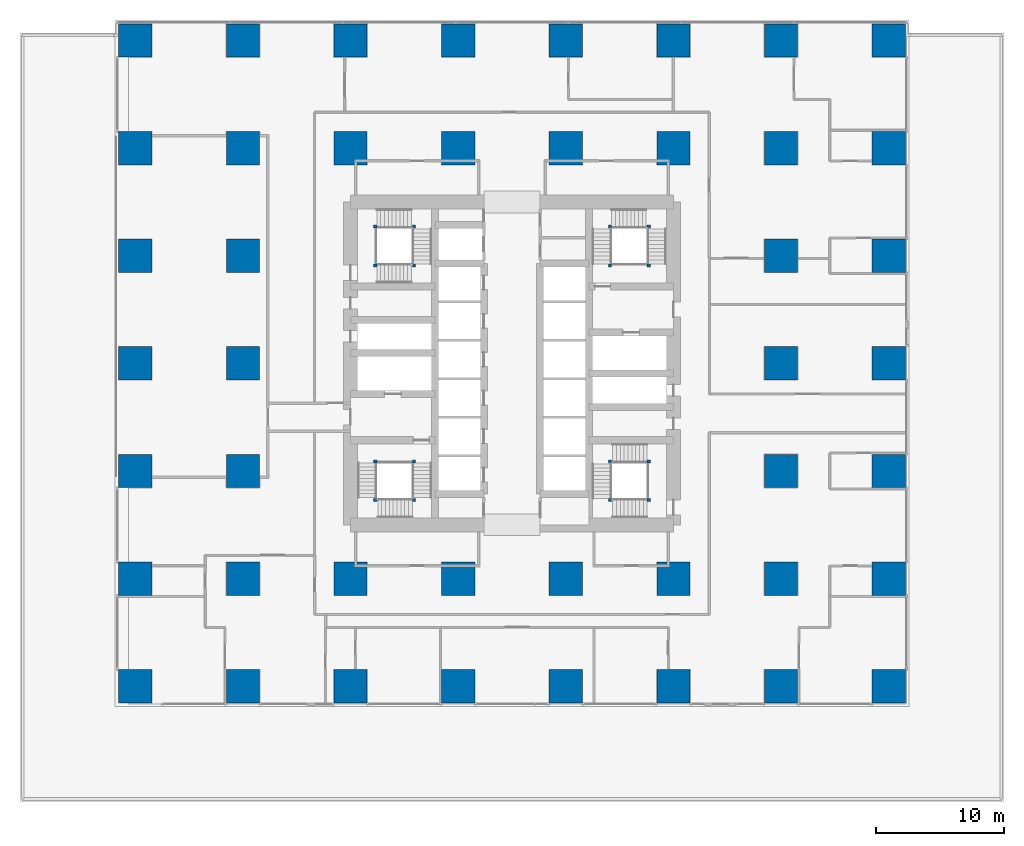
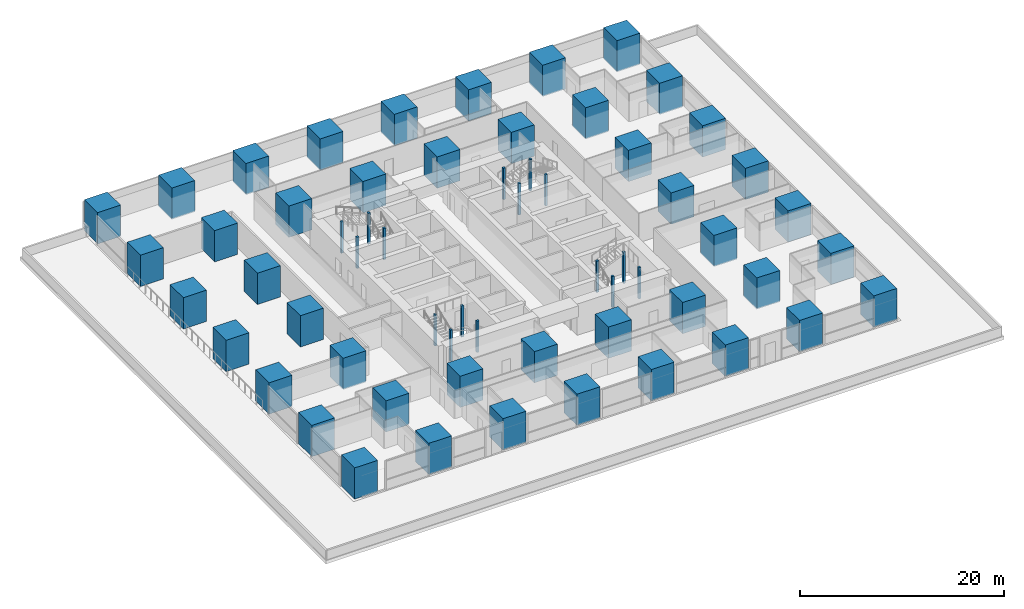
# One storey, part 1 of 35: 60 columns.
"""IFC4 building model written with IfcOpenShell, lengths in metres."""

from ifc_helpers import new_model, si_unit, direction, frame, origin, origin_2d, place, context, subcontext, project, spatial, rectangle, extrude, material, material_profile, profile_set, type_object, element, save


model = new_model("IFC4")

# Units and contexts
model_context = context("Model", 3, precision=1e-05, world=origin(), true_north=direction((0.0, 1.0)))
body_context = subcontext(model_context, "Body", "Model", "MODEL_VIEW")
ifc_project = project(units=[si_unit("LENGTHUNIT", "METRE"), si_unit("AREAUNIT", "SQUARE_METRE"), si_unit("VOLUMEUNIT", "CUBIC_METRE"), si_unit("PLANEANGLEUNIT", "RADIAN"), si_unit("MASSUNIT", "GRAM", prefix="KILO")], contexts=[model_context])

# Site, building, storey
site_placement = place(None, origin())
site = spatial("IfcSite", under=ifc_project, at=site_placement, CompositionType="ELEMENT")
building_placement = place(site_placement, origin())
building = spatial("IfcBuilding", under=site, at=building_placement, Name="Rekha Terrace Tower", CompositionType="ELEMENT")
storey_placement = place(building_placement, frame((0.0, 0.0, 25.39990234375)))
storey = spatial("IfcBuildingStorey", under=building, at=storey_placement, Name="L05", CompositionType="ELEMENT", Elevation=25.39990234375)

# Columns
ifc_material_1 = material(Name="Concrete M70", Category="concrete")
ifc_material_profile_1 = material_profile(ifc_material_1, rectangle(XDim=2.60009765625, YDim=2.60009765625, at=origin_2d()), Name="RC 2600x2600")
ifc_profile_set_1 = profile_set([ifc_material_profile_1], Name="Concrete M70")
column_type_1 = type_object("IfcColumnType", Name="C2B 2600x2600 column", PredefinedType="COLUMN", material=ifc_profile_set_1)
for number, where, z_axis, x_axis, name in (
    (1, (8.39990234375, 8.39990234375, 0.0), (0.0, 0.0, 1.0), (1.0, 0.0, 0.0), "Column C2B 2/B L05"),
    (2, (8.39990234375, 16.800048828125, 0.0), (0.0, 0.0, 1.0), (1.0, 0.0, 0.0), "Column C2B 2/C L05"),
    (3, (8.39990234375, 25.199951171875, 0.0), (0.0, 0.0, 1.0), (1.0, 0.0, 0.0), "Column C2B 2/D L05"),
    (4, (8.39990234375, 33.60009765625, 0.0), (0.0, 0.0, 1.0), (1.0, 0.0, 0.0), "Column C2B 2/E L05"),
    (5, (8.39990234375, 42.0, 0.0), (0.0, 0.0, 1.0), (1.0, 0.0, 0.0), "Column C2B 2/F L05"),
    (6, (8.39990234375, 50.39990234375, 0.0), (0.0, 0.0, 1.0), (1.0, 0.0, 0.0), "Column C2B 2/G L05"),
    (7, (8.39990234375, 58.800048828125, 0.0), (0.0, 0.0, 1.0), (1.0, 0.0, 0.0), "Column C2B 2/H L05"),
    (8, (16.800048828125, 8.39990234375, 0.0), (0.0, 0.0, 1.0), (1.0, 0.0, 0.0), "Column C2B 3/B L05"),
    (9, (16.800048828125, 16.800048828125, 0.0), (0.0, 0.0, 1.0), (1.0, 0.0, 0.0), "Column C2B 3/C L05"),
    (10, (16.800048828125, 25.199951171875, 0.0), (0.0, 0.0, 1.0), (1.0, 0.0, 0.0), "Column C2B 3/D L05"),
    (11, (16.800048828125, 33.60009765625, 0.0), (0.0, 0.0, 1.0), (1.0, 0.0, 0.0), "Column C2B 3/E L05"),
    (12, (16.800048828125, 42.0, 0.0), (0.0, 0.0, 1.0), (1.0, 0.0, 0.0), "Column C2B 3/F L05"),
    (13, (16.800048828125, 50.39990234375, 0.0), (0.0, 0.0, 1.0), (1.0, 0.0, 0.0), "Column C2B 3/G L05"),
    (14, (16.800048828125, 58.800048828125, 0.0), (0.0, 0.0, 1.0), (1.0, 0.0, 0.0), "Column C2B 3/H L05"),
    (15, (25.199951171875, 8.39990234375, 0.0), (0.0, 0.0, 1.0), (1.0, 0.0, 0.0), "Column C2B 4/B L05"),
    (16, (25.199951171875, 16.800048828125, 0.0), (0.0, 0.0, 1.0), (1.0, 0.0, 0.0), "Column C2B 4/C L05"),
    (17, (25.199951171875, 50.39990234375, 0.0), (0.0, 0.0, 1.0), (1.0, 0.0, 0.0), "Column C2B 4/G L05"),
    (18, (25.199951171875, 58.800048828125, 0.0), (0.0, 0.0, 1.0), (1.0, 0.0, 0.0), "Column C2B 4/H L05"),
    (19, (33.60009765625, 8.39990234375, 0.0), (0.0, 0.0, 1.0), (1.0, 0.0, 0.0), "Column C2B 5/B L05"),
    (20, (33.60009765625, 16.800048828125, 0.0), (0.0, 0.0, 1.0), (1.0, 0.0, 0.0), "Column C2B 5/C L05"),
    (21, (33.60009765625, 50.39990234375, 0.0), (0.0, 0.0, 1.0), (1.0, 0.0, 0.0), "Column C2B 5/G L05"),
    (22, (33.60009765625, 58.800048828125, 0.0), (0.0, 0.0, 1.0), (1.0, 0.0, 0.0), "Column C2B 5/H L05"),
    (23, (42.0, 8.39990234375, 0.0), (0.0, 0.0, 1.0), (1.0, 0.0, 0.0), "Column C2B 6/B L05"),
    (24, (42.0, 16.800048828125, 0.0), (0.0, 0.0, 1.0), (1.0, 0.0, 0.0), "Column C2B 6/C L05"),
    (25, (42.0, 50.39990234375, 0.0), (0.0, 0.0, 1.0), (1.0, 0.0, 0.0), "Column C2B 6/G L05"),
    (26, (42.0, 58.800048828125, 0.0), (0.0, 0.0, 1.0), (1.0, 0.0, 0.0), "Column C2B 6/H L05"),
    (27, (50.39990234375, 8.39990234375, 0.0), (0.0, 0.0, 1.0), (1.0, 0.0, 0.0), "Column C2B 7/B L05"),
    (28, (50.39990234375, 16.800048828125, 0.0), (0.0, 0.0, 1.0), (1.0, 0.0, 0.0), "Column C2B 7/C L05"),
    (29, (50.39990234375, 50.39990234375, 0.0), (0.0, 0.0, 1.0), (1.0, 0.0, 0.0), "Column C2B 7/G L05"),
    (30, (50.39990234375, 58.800048828125, 0.0), (0.0, 0.0, 1.0), (1.0, 0.0, 0.0), "Column C2B 7/H L05"),
    (31, (58.800048828125, 8.39990234375, 0.0), (0.0, 0.0, 1.0), (1.0, 0.0, 0.0), "Column C2B 8/B L05"),
    (32, (58.800048828125, 16.800048828125, 0.0), (0.0, 0.0, 1.0), (1.0, 0.0, 0.0), "Column C2B 8/C L05"),
    (33, (58.800048828125, 25.199951171875, 0.0), (0.0, 0.0, 1.0), (1.0, 0.0, 0.0), "Column C2B 8/D L05"),
    (34, (58.800048828125, 33.60009765625, 0.0), (0.0, 0.0, 1.0), (1.0, 0.0, 0.0), "Column C2B 8/E L05"),
    (35, (58.800048828125, 42.0, 0.0), (0.0, 0.0, 1.0), (1.0, 0.0, 0.0), "Column C2B 8/F L05"),
    (36, (58.800048828125, 50.39990234375, 0.0), (0.0, 0.0, 1.0), (1.0, 0.0, 0.0), "Column C2B 8/G L05"),
    (37, (58.800048828125, 58.800048828125, 0.0), (0.0, 0.0, 1.0), (1.0, 0.0, 0.0), "Column C2B 8/H L05"),
    (38, (67.199951171875, 8.39990234375, 0.0), (0.0, 0.0, 1.0), (1.0, 0.0, 0.0), "Column C2B 9/B L05"),
    (39, (67.199951171875, 16.800048828125, 0.0), (0.0, 0.0, 1.0), (1.0, 0.0, 0.0), "Column C2B 9/C L05"),
    (40, (67.199951171875, 25.199951171875, 0.0), (0.0, 0.0, 1.0), (1.0, 0.0, 0.0), "Column C2B 9/D L05"),
    (41, (67.199951171875, 33.60009765625, 0.0), (0.0, 0.0, 1.0), (1.0, 0.0, 0.0), "Column C2B 9/E L05"),
    (42, (67.199951171875, 42.0, 0.0), (0.0, 0.0, 1.0), (1.0, 0.0, 0.0), "Column C2B 9/F L05"),
    (43, (67.199951171875, 50.39990234375, 0.0), (0.0, 0.0, 1.0), (1.0, 0.0, 0.0), "Column C2B 9/G L05"),
    (44, (67.199951171875, 58.800048828125, 0.0), (0.0, 0.0, 1.0), (1.0, 0.0, 0.0), "Column C2B 9/H L05"),
):
    element("IfcColumn", number, at=place(storey_placement, frame(where, z_axis=z_axis, x_axis=x_axis)), inside=storey, type_object=column_type_1, Name=name, PredefinedType="COLUMN", context=body_context, shape_type="SweptSolid", body=[
        extrude(rectangle(XDim=2.60009765625, YDim=2.60009765625, at=origin_2d()), origin(), (0.0, 0.0, 1.0), 3.75),
    ])
ifc_material_2 = material(Name="Concrete M60", Category="concrete")
ifc_material_profile_2 = material_profile(ifc_material_2, rectangle(XDim=0.25, YDim=0.25, at=origin_2d()), Name="RC 250x250")
ifc_profile_set_2 = profile_set([ifc_material_profile_2], Name="Concrete M60")
column_type_2 = type_object("IfcColumnType", Name="NP1 250x250 stair newel post", PredefinedType="COLUMN", material=ifc_profile_set_2)
for number, where, z_axis, x_axis, name in (
    (45, (30.14990234375, 25.949951171875, 0.0), (0.0, 0.0, 1.0), (1.0, 0.0, 0.0), "Stair newel post NP1"),
    (46, (30.14990234375, 22.925048828125, 0.0), (0.0, 0.0, 1.0), (1.0, 0.0, 0.0), "Stair newel post NP1"),
    (47, (27.125, 22.925048828125, 0.0), (0.0, 0.0, 1.0), (1.0, 0.0, 0.0), "Stair newel post NP1"),
    (48, (27.125, 25.949951171875, 0.0), (0.0, 0.0, 1.0), (1.0, 0.0, 0.0), "Stair newel post NP1"),
    (49, (45.449951171875, 41.25, 0.0), (0.0, 0.0, 1.0), (1.0, 0.0, 0.0), "Stair newel post NP1"),
    (50, (45.449951171875, 44.27490234375, 0.0), (0.0, 0.0, 1.0), (1.0, 0.0, 0.0), "Stair newel post NP1"),
    (51, (48.47509765625, 44.27490234375, 0.0), (0.0, 0.0, 1.0), (1.0, 0.0, 0.0), "Stair newel post NP1"),
    (52, (48.47509765625, 41.25, 0.0), (0.0, 0.0, 1.0), (1.0, 0.0, 0.0), "Stair newel post NP1"),
    (53, (48.47509765625, 22.925048828125, 0.0), (0.0, 0.0, 1.0), (1.0, 0.0, 0.0), "Stair newel post NP1"),
    (54, (45.449951171875, 22.925048828125, 0.0), (0.0, 0.0, 1.0), (1.0, 0.0, 0.0), "Stair newel post NP1"),
    (55, (45.449951171875, 25.949951171875, 0.0), (0.0, 0.0, 1.0), (1.0, 0.0, 0.0), "Stair newel post NP1"),
    (56, (48.47509765625, 25.949951171875, 0.0), (0.0, 0.0, 1.0), (1.0, 0.0, 0.0), "Stair newel post NP1"),
    (57, (27.125, 41.25, 0.0), (0.0, 0.0, 1.0), (1.0, 0.0, 0.0), "Stair newel post NP1"),
    (58, (30.14990234375, 41.25, 0.0), (0.0, 0.0, 1.0), (1.0, 0.0, 0.0), "Stair newel post NP1"),
    (59, (30.14990234375, 44.27490234375, 0.0), (0.0, 0.0, 1.0), (1.0, 0.0, 0.0), "Stair newel post NP1"),
    (60, (27.125, 44.27490234375, 0.0), (0.0, 0.0, 1.0), (1.0, 0.0, 0.0), "Stair newel post NP1"),
):
    element("IfcColumn", number, at=place(storey_placement, frame(where, z_axis=z_axis, x_axis=x_axis)), inside=storey, type_object=column_type_2, Name=name, PredefinedType="COLUMN", context=body_context, shape_type="SweptSolid", body=[
        extrude(rectangle(XDim=0.25, YDim=0.25, at=origin_2d()), origin(), (0.0, 0.0, 1.0), 3.75),
    ])

save(model, "model.ifc")
